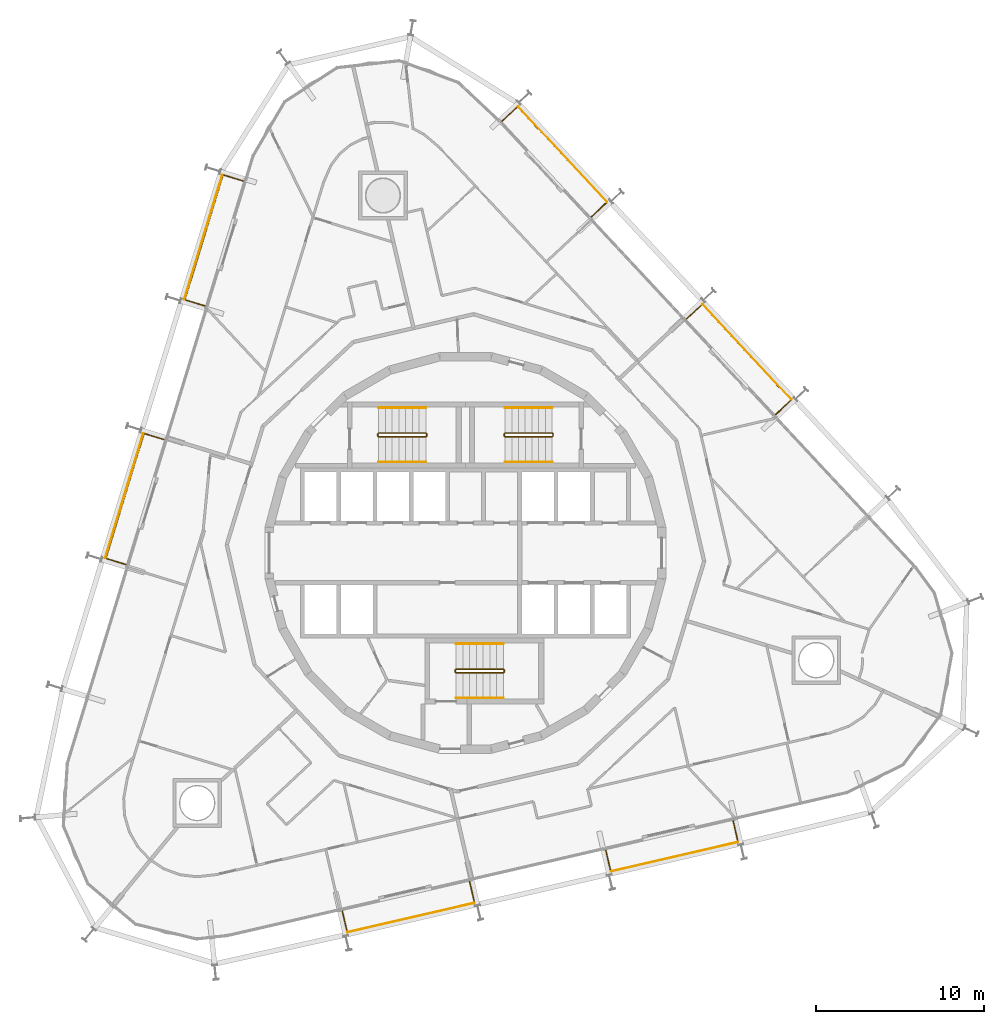
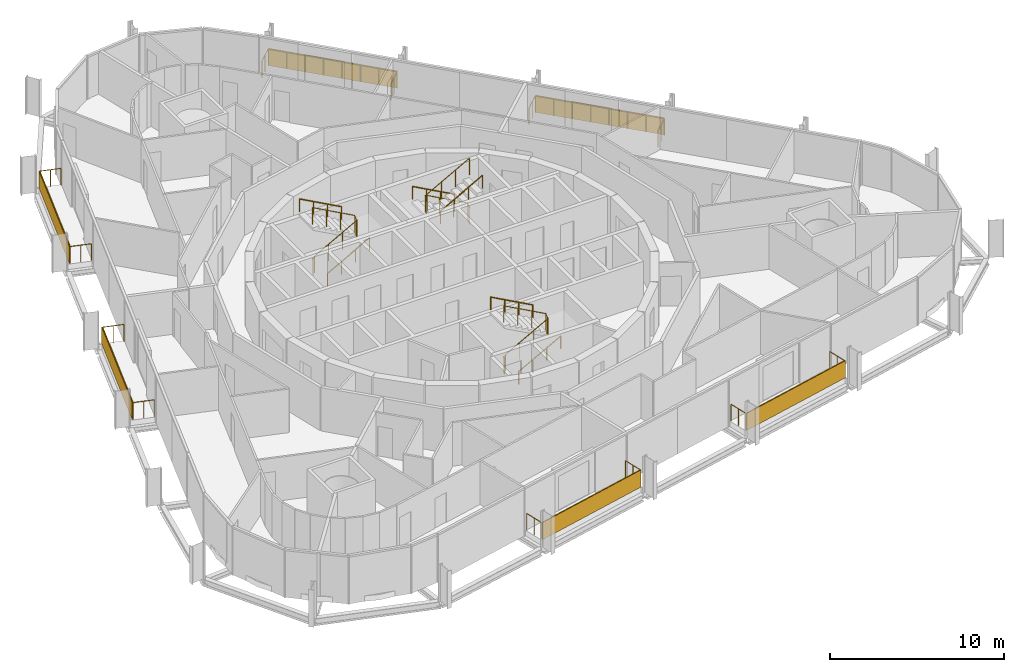
# One storey, part 18 of 18: 15 railings, 6 shading devices.
"""IFC4 building model written with IfcOpenShell, lengths in metres."""

import ifcopenshell
import ifcopenshell.guid

model = None  # the IFC model being written
_history = None  # IfcOwnerHistory: only IFC2X3 demands one
_inside = {}  # id of a spatial element -> (the spatial element, [elements in it])
_under = {}  # id of a project, library or spatial element -> (it, [spatial elements below it])
_declared = {}  # id of a project -> (the project, [libraries it declares])
_typed = {}  # id of a type object -> (the type object, [elements of that type])
_made_of = {}  # id of a material, layer set ... -> (it, [elements and type objects made of it])


def new_model(schema):
    """Start an empty IFC model of exactly this schema.

    Asked for "IFC4X3", IfcOpenShell would pick the latest addendum, in which some entities
    have other attributes; the version numbers below select the first issue.
    IFC2X3 requires an IfcOwnerHistory on every rooted entity: one is made here for all.
    """
    global model, _history
    if schema == "IFC4X3":
        model = ifcopenshell.file(schema_version=(4, 3, 0, 0))
    else:
        model = ifcopenshell.file(schema=schema)
    _inside.clear()
    _under.clear()
    _declared.clear()
    _typed.clear()
    _made_of.clear()
    _history = None
    if model.schema == "IFC2X3":
        org = make("IfcOrganization", Name="unknown")
        user = make(
            "IfcPersonAndOrganization",
            ThePerson=make("IfcPerson", FamilyName="unknown"),
            TheOrganization=org,
        )
        app = make(
            "IfcApplication",
            ApplicationDeveloper=org,
            Version="unknown",
            ApplicationFullName="unknown",
            ApplicationIdentifier="unknown",
        )
        _history = make(
            "IfcOwnerHistory",
            OwningUser=user,
            OwningApplication=app,
            ChangeAction="ADDED",
            CreationDate=0,
        )
    return model


def make(cls, **values):
    """One entity of the class cls with the attributes given. An attribute that is None is left unset."""
    return model.create_entity(
        cls, **{name: value for name, value in values.items() if value is not None}
    )


def rooted(cls, **values):
    """An entity with a GlobalId (a new one), such as an element, a storey or a relation."""
    return make(cls, GlobalId=ifcopenshell.guid.new(), OwnerHistory=_history, **values)


def si_unit(unit_type, name, prefix=None):
    """IfcSIUnit, for example si_unit("LENGTHUNIT", "METRE", prefix="MILLI")."""
    return make("IfcSIUnit", UnitType=unit_type, Prefix=prefix, Name=name)


def assignment(units):
    """IfcUnitAssignment: the units of a project."""
    return None if units is None else make("IfcUnitAssignment", Units=units)


def point(xyz):
    """IfcCartesianPoint."""
    return None if xyz is None else make("IfcCartesianPoint", Coordinates=xyz)


def direction(xyz):
    """IfcDirection."""
    return None if xyz is None else make("IfcDirection", DirectionRatios=xyz)


def frame(location, z_axis=None, x_axis=None):
    """IfcAxis2Placement3D, a coordinate frame: its origin and axes. An axis left out is left unset."""
    return make(
        "IfcAxis2Placement3D",
        Location=point(location),
        Axis=direction(z_axis),
        RefDirection=direction(x_axis),
    )


def frame_2d(location, x_axis=None):
    """IfcAxis2Placement2D, a coordinate frame in the plane: its origin and x axis."""
    return make(
        "IfcAxis2Placement2D", Location=point(location), RefDirection=direction(x_axis)
    )


def origin():
    """The frame at (0, 0, 0) with its axes left unset."""
    return frame((0.0, 0.0, 0.0))


def origin_2d():
    """The frame at (0, 0) in the plane with its x axis left unset."""
    return frame_2d((0.0, 0.0))


def place(relative_to, where):
    """IfcLocalPlacement: puts the frame where relative to a parent placement (None: the world)."""
    return make(
        "IfcLocalPlacement", PlacementRelTo=relative_to, RelativePlacement=where
    )


def context(
    kind, dimensions, precision=None, world=None, true_north=None, identifier=None
):
    """IfcGeometricRepresentationContext, for example the 3D "Model" context."""
    return make(
        "IfcGeometricRepresentationContext",
        ContextIdentifier=identifier,
        ContextType=kind,
        CoordinateSpaceDimension=dimensions,
        Precision=precision,
        WorldCoordinateSystem=world,
        TrueNorth=true_north,
    )


def subcontext(parent, identifier, kind, view, scale=None):
    """IfcGeometricRepresentationSubContext, for example "Body" below "Model"."""
    return make(
        "IfcGeometricRepresentationSubContext",
        ContextIdentifier=identifier,
        ContextType=kind,
        ParentContext=parent,
        TargetScale=scale,
        TargetView=view,
    )


def project(units=None, contexts=None):
    """IfcProject with its units and contexts."""
    return rooted(
        "IfcProject",
        Name="project",
        RepresentationContexts=contexts,
        UnitsInContext=assignment(units),
    )


def spatial(cls, under=None, at=None, **own):
    """A site, building, storey or space (cls), placed at a placement, below another one or the project."""
    s = rooted(cls, ObjectPlacement=at, **own)
    if under is not None:
        _under.setdefault(under.id(), (under, []))[1].append(s)
    return s


def profile(cls, at=None, kind="AREA", **sizes):
    """A parametric profile (cls). Its sizes go by their IFC names, for example OverallWidth=200.0."""
    return make(cls, ProfileType=kind, Position=at, **sizes)


def rectangle(**sizes):
    """IfcRectangleProfileDef."""
    return profile("IfcRectangleProfileDef", **sizes)


def circle(**sizes):
    """IfcCircleProfileDef."""
    return profile("IfcCircleProfileDef", **sizes)


def extrude(swept, where, along, depth):
    """IfcExtrudedAreaSolid: the profile swept, set in the frame where, extruded along a direction by depth."""
    return make(
        "IfcExtrudedAreaSolid",
        SweptArea=swept,
        Position=where,
        ExtrudedDirection=direction(along),
        Depth=depth,
    )


def shape(context_of_items, identifier, shape_type, items):
    """IfcShapeRepresentation: the items that make up one representation, for example the "Body"."""
    return make(
        "IfcShapeRepresentation",
        ContextOfItems=context_of_items,
        RepresentationIdentifier=identifier,
        RepresentationType=shape_type,
        Items=items,
    )


def material(Name=None, Category=None):
    """IfcMaterial."""
    return make("IfcMaterial", Name=Name, Category=Category)


def layer(
    of_material, thickness, ventilated=None, Name=None, Category=None, Priority=None
):
    """IfcMaterialLayer: one layer of a wall or slab, of a material (None: an air gap)."""
    return make(
        "IfcMaterialLayer",
        Material=of_material,
        LayerThickness=thickness,
        IsVentilated=ventilated,
        Name=Name,
        Category=Category,
        Priority=Priority,
    )


def layer_set(layers, Name=None):
    """IfcMaterialLayerSet."""
    return make("IfcMaterialLayerSet", MaterialLayers=layers, LayerSetName=Name)


def made_of(thing, what):
    """Note that an element or type object is made of a material, layer set ...; save() writes the relation."""
    if what is not None:
        _made_of.setdefault(what.id(), (what, []))[1].append(thing)
    return thing


def type_object(cls, material=None, **own):
    """A type object (cls), such as IfcWallType, which elements share."""
    return made_of(rooted(cls, **own), material)


def element(
    cls,
    number,
    at=None,
    inside=None,
    cuts=None,
    type_object=None,
    material=None,
    context=None,
    identifier="Body",
    shape_type=None,
    held_by="IfcProductDefinitionShape",
    body=None,
    shapes=None,
    **own,
):
    """One element of the class cls, such as IfcWall. Its Tag is "e" and its number.

    at: its placement. inside: the storey or other place that contains it. cuts: it is an
    opening in that element (IfcRelVoidsElement). A single representation is given by context,
    identifier, shape_type and body (its items); several are given by shapes. held_by: the class
    of the entity that holds the representations. save() writes the other relations.
    """
    e = rooted(cls, Tag="e%d" % number, ObjectPlacement=at, **own)
    if body is not None:
        shapes = [shape(context, identifier, shape_type, body)]
    if shapes is not None:
        e.Representation = make(held_by, Representations=shapes)
    if inside is not None:
        _inside.setdefault(inside.id(), (inside, []))[1].append(e)
    if cuts is not None:
        rooted(
            "IfcRelVoidsElement", RelatingBuildingElement=cuts, RelatedOpeningElement=e
        )
    if type_object is not None:
        _typed.setdefault(type_object.id(), (type_object, []))[1].append(e)
    return made_of(e, material)


def aggregate(whole, parts):
    """IfcRelAggregates: a whole, such as a stair, and the parts it consists of."""
    return rooted("IfcRelAggregates", RelatingObject=whole, RelatedObjects=parts)


def save(model, path):
    """Write the relations noted so far, then the file.

    IfcRelAggregates (storeys below a building ...), IfcRelContainedInSpatialStructure (elements
    in a storey), IfcRelDefinesByType, IfcRelAssociatesMaterial and IfcRelDeclares: one each for
    every whole, place, type object, material and project.
    """
    for whole, parts in _under.values():
        aggregate(whole, parts)
    for where, things in _inside.values():
        rooted(
            "IfcRelContainedInSpatialStructure",
            RelatedElements=things,
            RelatingStructure=where,
        )
    for kind, things in _typed.values():
        rooted("IfcRelDefinesByType", RelatedObjects=things, RelatingType=kind)
    for what, things in _made_of.values():
        rooted("IfcRelAssociatesMaterial", RelatedObjects=things, RelatingMaterial=what)
    for by, libraries in _declared.values():
        rooted("IfcRelDeclares", RelatingContext=by, RelatedDefinitions=libraries)
    model.write(path)


model = new_model("IFC4")

# Units and contexts
model_context = context("Model", 3, precision=1e-05, world=origin(), true_north=direction((0.0, 1.0)))
body_context = subcontext(model_context, "Body", "Model", "MODEL_VIEW")
ifc_project = project(units=[si_unit("LENGTHUNIT", "METRE"), si_unit("AREAUNIT", "SQUARE_METRE"), si_unit("VOLUMEUNIT", "CUBIC_METRE"), si_unit("PLANEANGLEUNIT", "RADIAN"), si_unit("MASSUNIT", "GRAM", prefix="KILO")], contexts=[model_context])

# Site, building, storey
site_placement = place(None, origin())
site = spatial("IfcSite", under=ifc_project, at=site_placement, CompositionType="ELEMENT")
building_placement = place(site_placement, origin())
building = spatial("IfcBuilding", under=site, at=building_placement, Name="Spindle Arch Residences", CompositionType="ELEMENT")
storey_placement = place(building_placement, frame((0.0, 0.0, 141.39990234375)))
storey = spatial("IfcBuildingStorey", under=building, at=storey_placement, Name="L35", CompositionType="ELEMENT", Elevation=141.39990234375)

# Railings
ifc_material_1 = material(Name="Bronze anodised aluminium guard with glass infill", Category="aluminium")
railing_type_1 = type_object("IfcRailingType", Name="Balcony guard 1200", PredefinedType="GUARDRAIL", material=ifc_material_1)
railing_1_placement = place(storey_placement, frame((8.33544921875, -17.658447265625, 0.0)))
element("IfcRailing", 1, at=railing_1_placement, inside=storey, type_object=railing_type_1, Name="Guard L35 bay 1", PredefinedType="GUARDRAIL", context=body_context, shape_type="SweptSolid", body=[
    extrude(circle(Radius=0.02392578125, at=origin_2d()), frame((0.0, 0.0, 1.17578125), z_axis=(0.224987877395, -0.974361562781, 0.0), x_axis=(0.974361562781, 0.224987877395, 0.0)), (0.0, 0.0, 1.0), 1.25),
    extrude(circle(Radius=0.02392578125, at=origin_2d()), frame((0.28125, -1.218017578125, 1.17578125), z_axis=(0.974365204353, 0.224972106149, 0.0), x_axis=(-0.224972106149, 0.974365204353, 0.0)), (0.0, 0.0, 1.0), 7.75927734375),
    extrude(circle(Radius=0.02392578125, at=origin_2d()), frame((7.841552734375, 0.527587890625, 1.17578125), z_axis=(-0.225030699336, 0.974351673861, 0.0), x_axis=(-0.974351673861, -0.225030699336, 0.0)), (0.0, 0.0, 1.0), 1.249755859375),
    extrude(circle(Radius=0.02099609375, at=origin_2d()), origin(), (0.0, 0.0, 1.0), 1.15185546875),
    extrude(circle(Radius=0.02099609375, at=origin_2d()), frame((0.140625, -0.60888671875, 0.0)), (0.0, 0.0, 1.0), 1.15185546875),
    extrude(circle(Radius=0.02099609375, at=origin_2d()), frame((0.28125, -1.218017578125, 0.0)), (0.0, 0.0, 1.0), 1.15185546875),
    extrude(circle(Radius=0.02099609375, at=origin_2d()), frame((1.361328125, -0.96875, 0.0)), (0.0, 0.0, 1.0), 1.15185546875),
    extrude(circle(Radius=0.02099609375, at=origin_2d()), frame((2.44140625, -0.71923828125, 0.0)), (0.0, 0.0, 1.0), 1.15185546875),
    extrude(circle(Radius=0.02099609375, at=origin_2d()), frame((3.521484375, -0.469970703125, 0.0)), (0.0, 0.0, 1.0), 1.15185546875),
    extrude(circle(Radius=0.02099609375, at=origin_2d()), frame((4.601318359375, -0.220458984375, 0.0)), (0.0, 0.0, 1.0), 1.15185546875),
    extrude(circle(Radius=0.02099609375, at=origin_2d()), frame((5.681396484375, 0.02880859375, 0.0)), (0.0, 0.0, 1.0), 1.15185546875),
    extrude(circle(Radius=0.02099609375, at=origin_2d()), frame((6.761474609375, 0.2783203125, 0.0)), (0.0, 0.0, 1.0), 1.15185546875),
    extrude(circle(Radius=0.02099609375, at=origin_2d()), frame((7.841552734375, 0.527587890625, 0.0)), (0.0, 0.0, 1.0), 1.15185546875),
    extrude(circle(Radius=0.02099609375, at=origin_2d()), frame((7.700927734375, 1.136474609375, 0.0)), (0.0, 0.0, 1.0), 1.15185546875),
    extrude(circle(Radius=0.02099609375, at=origin_2d()), frame((7.560302734375, 1.745361328125, 0.0)), (0.0, 0.0, 1.0), 1.15185546875),
])
railing_2_placement = place(storey_placement, frame((18.426025390625, 8.218505859375, 0.0)))
element("IfcRailing", 2, at=railing_2_placement, inside=storey, type_object=railing_type_1, Name="Guard L35 bay 7", PredefinedType="GUARDRAIL", context=body_context, shape_type="SweptSolid", body=[
    extrude(circle(Radius=0.02392578125, at=origin_2d()), frame((0.0, 0.0, 1.17578125), z_axis=(0.731477318681, 0.681865772902, 0.0), x_axis=(-0.681865772902, 0.731477318681, 0.0)), (0.0, 0.0, 1.0), 1.25),
    extrude(circle(Radius=0.02392578125, at=origin_2d()), frame((0.914306640625, 0.852294921875, 1.17578125), z_axis=(-0.681991953625, 0.731359675666, 0.0), x_axis=(-0.731359675666, -0.681991953625, 0.0)), (0.0, 0.0, 1.0), 7.75927734375),
    extrude(circle(Radius=0.02392578125, at=origin_2d()), frame((-4.37744140625, 6.527099609375, 1.17578125), z_axis=(-0.731379904041, -0.681970260323, 0.0), x_axis=(0.681970260323, -0.731379904041, 0.0)), (0.0, 0.0, 1.0), 1.25),
    extrude(circle(Radius=0.02099609375, at=origin_2d()), origin(), (0.0, 0.0, 1.0), 1.15185546875),
    extrude(circle(Radius=0.02099609375, at=origin_2d()), frame((0.45703125, 0.42626953125, 0.0)), (0.0, 0.0, 1.0), 1.15185546875),
    extrude(circle(Radius=0.02099609375, at=origin_2d()), frame((0.914306640625, 0.852294921875, 0.0)), (0.0, 0.0, 1.0), 1.15185546875),
    extrude(circle(Radius=0.02099609375, at=origin_2d()), frame((0.158447265625, 1.6630859375, 0.0)), (0.0, 0.0, 1.0), 1.15185546875),
    extrude(circle(Radius=0.02099609375, at=origin_2d()), frame((-0.59765625, 2.4736328125, 0.0)), (0.0, 0.0, 1.0), 1.15185546875),
    extrude(circle(Radius=0.02099609375, at=origin_2d()), frame((-1.353515625, 3.284423828125, 0.0)), (0.0, 0.0, 1.0), 1.15185546875),
    extrude(circle(Radius=0.02099609375, at=origin_2d()), frame((-2.109619140625, 4.094970703125, 0.0)), (0.0, 0.0, 1.0), 1.15185546875),
    extrude(circle(Radius=0.02099609375, at=origin_2d()), frame((-2.865478515625, 4.90576171875, 0.0)), (0.0, 0.0, 1.0), 1.15185546875),
    extrude(circle(Radius=0.02099609375, at=origin_2d()), frame((-3.62158203125, 5.71630859375, 0.0)), (0.0, 0.0, 1.0), 1.15185546875),
    extrude(circle(Radius=0.02099609375, at=origin_2d()), frame((-4.37744140625, 6.527099609375, 0.0)), (0.0, 0.0, 1.0), 1.15185546875),
    extrude(circle(Radius=0.02099609375, at=origin_2d()), frame((-4.83447265625, 6.100830078125, 0.0)), (0.0, 0.0, 1.0), 1.15185546875),
    extrude(circle(Radius=0.02099609375, at=origin_2d()), frame((-5.291748046875, 5.674560546875, 0.0)), (0.0, 0.0, 1.0), 1.15185546875),
])
railing_3_placement = place(storey_placement, frame((7.474365234375, 19.962646484375, 0.0)))
element("IfcRailing", 3, at=railing_3_placement, inside=storey, type_object=railing_type_1, Name="Guard L35 bay 9", PredefinedType="GUARDRAIL", context=body_context, shape_type="SweptSolid", body=[
    extrude(circle(Radius=0.02392578125, at=origin_2d()), frame((0.0, 0.0, 1.17578125), z_axis=(0.731289056092, 0.682067677317, 0.0), x_axis=(-0.682067677317, 0.731289056092, 0.0)), (0.0, 0.0, 1.0), 1.25),
    extrude(circle(Radius=0.02392578125, at=origin_2d()), frame((0.9140625, 0.8525390625, 1.17578125), z_axis=(-0.681991953625, 0.731359675666, 0.0), x_axis=(-0.731359675666, -0.681991953625, 0.0)), (0.0, 0.0, 1.0), 7.75927734375),
    extrude(circle(Radius=0.02392578125, at=origin_2d()), frame((-4.377685546875, 6.52734375, 1.17578125), z_axis=(-0.731289056092, -0.682067677317, 0.0), x_axis=(0.682067677317, -0.731289056092, 0.0)), (0.0, 0.0, 1.0), 1.25),
    extrude(circle(Radius=0.02099609375, at=origin_2d()), origin(), (0.0, 0.0, 1.0), 1.15185546875),
    extrude(circle(Radius=0.02099609375, at=origin_2d()), frame((0.45703125, 0.42626953125, 0.0)), (0.0, 0.0, 1.0), 1.15185546875),
    extrude(circle(Radius=0.02099609375, at=origin_2d()), frame((0.9140625, 0.8525390625, 0.0)), (0.0, 0.0, 1.0), 1.15185546875),
    extrude(circle(Radius=0.02099609375, at=origin_2d()), frame((0.158203125, 1.663330078125, 0.0)), (0.0, 0.0, 1.0), 1.15185546875),
    extrude(circle(Radius=0.02099609375, at=origin_2d()), frame((-0.597900390625, 2.473876953125, 0.0)), (0.0, 0.0, 1.0), 1.15185546875),
    extrude(circle(Radius=0.02099609375, at=origin_2d()), frame((-1.353759765625, 3.28466796875, 0.0)), (0.0, 0.0, 1.0), 1.15185546875),
    extrude(circle(Radius=0.02099609375, at=origin_2d()), frame((-2.10986328125, 4.09521484375, 0.0)), (0.0, 0.0, 1.0), 1.15185546875),
    extrude(circle(Radius=0.02099609375, at=origin_2d()), frame((-2.86572265625, 4.906005859375, 0.0)), (0.0, 0.0, 1.0), 1.15185546875),
    extrude(circle(Radius=0.02099609375, at=origin_2d()), frame((-3.621826171875, 5.716552734375, 0.0)), (0.0, 0.0, 1.0), 1.15185546875),
    extrude(circle(Radius=0.02099609375, at=origin_2d()), frame((-4.377685546875, 6.52734375, 0.0)), (0.0, 0.0, 1.0), 1.15185546875),
    extrude(circle(Radius=0.02099609375, at=origin_2d()), frame((-4.834716796875, 6.10107421875, 0.0)), (0.0, 0.0, 1.0), 1.15185546875),
    extrude(circle(Radius=0.02099609375, at=origin_2d()), frame((-5.291748046875, 5.6748046875, 0.0)), (0.0, 0.0, 1.0), 1.15185546875),
])
railing_4_placement = place(storey_placement, frame((-13.200439453125, 22.0859375, 0.0)))
element("IfcRailing", 4, at=railing_4_placement, inside=storey, type_object=railing_type_1, Name="Guard L35 bay 13", PredefinedType="GUARDRAIL", context=body_context, shape_type="SweptSolid", body=[
    extrude(circle(Radius=0.02392578125, at=origin_2d()), frame((0.0, 0.0, 1.17578125), z_axis=(-0.95629696894, 0.292397173714, 0.0), x_axis=(-0.292397173714, -0.95629696894, 0.0)), (0.0, 0.0, 1.0), 1.25),
    extrude(circle(Radius=0.02392578125, at=origin_2d()), frame((-1.1953125, 0.365478515625, 1.17578125), z_axis=(-0.29236961561, -0.956305394666, 0.0), x_axis=(0.956305394666, -0.29236961561, 0.0)), (0.0, 0.0, 1.0), 7.75927734375),
    extrude(circle(Radius=0.02392578125, at=origin_2d()), frame((-3.4638671875, -7.0546875, 1.17578125), z_axis=(0.95629696894, -0.292397173714, 0.0), x_axis=(0.292397173714, 0.95629696894, 0.0)), (0.0, 0.0, 1.0), 1.25),
    extrude(circle(Radius=0.02099609375, at=origin_2d()), origin(), (0.0, 0.0, 1.0), 1.15185546875),
    extrude(circle(Radius=0.02099609375, at=origin_2d()), frame((-0.59765625, 0.1826171875, 0.0)), (0.0, 0.0, 1.0), 1.15185546875),
    extrude(circle(Radius=0.02099609375, at=origin_2d()), frame((-1.1953125, 0.365478515625, 0.0)), (0.0, 0.0, 1.0), 1.15185546875),
    extrude(circle(Radius=0.02099609375, at=origin_2d()), frame((-1.519287109375, -0.694580078125, 0.0)), (0.0, 0.0, 1.0), 1.15185546875),
    extrude(circle(Radius=0.02099609375, at=origin_2d()), frame((-1.843505859375, -1.754638671875, 0.0)), (0.0, 0.0, 1.0), 1.15185546875),
    extrude(circle(Radius=0.02099609375, at=origin_2d()), frame((-2.16748046875, -2.814697265625, 0.0)), (0.0, 0.0, 1.0), 1.15185546875),
    extrude(circle(Radius=0.02099609375, at=origin_2d()), frame((-2.49169921875, -3.87451171875, 0.0)), (0.0, 0.0, 1.0), 1.15185546875),
    extrude(circle(Radius=0.02099609375, at=origin_2d()), frame((-2.815673828125, -4.9345703125, 0.0)), (0.0, 0.0, 1.0), 1.15185546875),
    extrude(circle(Radius=0.02099609375, at=origin_2d()), frame((-3.139892578125, -5.99462890625, 0.0)), (0.0, 0.0, 1.0), 1.15185546875),
    extrude(circle(Radius=0.02099609375, at=origin_2d()), frame((-3.4638671875, -7.0546875, 0.0)), (0.0, 0.0, 1.0), 1.15185546875),
    extrude(circle(Radius=0.02099609375, at=origin_2d()), frame((-2.8662109375, -7.2373046875, 0.0)), (0.0, 0.0, 1.0), 1.15185546875),
    extrude(circle(Radius=0.02099609375, at=origin_2d()), frame((-2.2685546875, -7.420166015625, 0.0)), (0.0, 0.0, 1.0), 1.15185546875),
])
railing_5_placement = place(storey_placement, frame((-17.895263671875, 6.729248046875, 0.0)))
element("IfcRailing", 5, at=railing_5_placement, inside=storey, type_object=railing_type_1, Name="Guard L35 bay 15", PredefinedType="GUARDRAIL", context=body_context, shape_type="SweptSolid", body=[
    extrude(circle(Radius=0.02392578125, at=origin_2d()), frame((0.0, 0.0, 1.17578125), z_axis=(-0.956313663541, 0.29234256776, 0.0), x_axis=(-0.29234256776, -0.956313663541, 0.0)), (0.0, 0.0, 1.0), 1.250244140625),
    extrude(circle(Radius=0.02392578125, at=origin_2d()), frame((-1.195556640625, 0.365478515625, 1.17578125), z_axis=(-0.29236961561, -0.956305394666, 0.0), x_axis=(0.956305394666, -0.29236961561, 0.0)), (0.0, 0.0, 1.0), 7.75927734375),
    extrude(circle(Radius=0.02392578125, at=origin_2d()), frame((-3.464111328125, -7.0546875, 1.17578125), z_axis=(0.956368246211, -0.292163956776, 0.0), x_axis=(0.292163956776, 0.956368246211, 0.0)), (0.0, 0.0, 1.0), 1.25),
    extrude(circle(Radius=0.02099609375, at=origin_2d()), origin(), (0.0, 0.0, 1.0), 1.15185546875),
    extrude(circle(Radius=0.02099609375, at=origin_2d()), frame((-0.59765625, 0.1826171875, 0.0)), (0.0, 0.0, 1.0), 1.15185546875),
    extrude(circle(Radius=0.02099609375, at=origin_2d()), frame((-1.195556640625, 0.365478515625, 0.0)), (0.0, 0.0, 1.0), 1.15185546875),
    extrude(circle(Radius=0.02099609375, at=origin_2d()), frame((-1.51953125, -0.694580078125, 0.0)), (0.0, 0.0, 1.0), 1.15185546875),
    extrude(circle(Radius=0.02099609375, at=origin_2d()), frame((-1.84375, -1.754638671875, 0.0)), (0.0, 0.0, 1.0), 1.15185546875),
    extrude(circle(Radius=0.02099609375, at=origin_2d()), frame((-2.167724609375, -2.814697265625, 0.0)), (0.0, 0.0, 1.0), 1.15185546875),
    extrude(circle(Radius=0.02099609375, at=origin_2d()), frame((-2.491943359375, -3.87451171875, 0.0)), (0.0, 0.0, 1.0), 1.15185546875),
    extrude(circle(Radius=0.02099609375, at=origin_2d()), frame((-2.81591796875, -4.9345703125, 0.0)), (0.0, 0.0, 1.0), 1.15185546875),
    extrude(circle(Radius=0.02099609375, at=origin_2d()), frame((-3.14013671875, -5.99462890625, 0.0)), (0.0, 0.0, 1.0), 1.15185546875),
    extrude(circle(Radius=0.02099609375, at=origin_2d()), frame((-3.464111328125, -7.0546875, 0.0)), (0.0, 0.0, 1.0), 1.15185546875),
    extrude(circle(Radius=0.02099609375, at=origin_2d()), frame((-2.8662109375, -7.2373046875, 0.0)), (0.0, 0.0, 1.0), 1.15185546875),
    extrude(circle(Radius=0.02099609375, at=origin_2d()), frame((-2.2685546875, -7.419921875, 0.0)), (0.0, 0.0, 1.0), 1.15185546875),
])
railing_6_placement = place(storey_placement, frame((-7.311279296875, -21.270751953125, 0.0)))
element("IfcRailing", 6, at=railing_6_placement, inside=storey, type_object=railing_type_1, Name="Guard L35 bay 21", PredefinedType="GUARDRAIL", context=body_context, shape_type="SweptSolid", body=[
    extrude(circle(Radius=0.02392578125, at=origin_2d()), frame((0.0, 0.0, 1.17578125), z_axis=(0.224987877395, -0.974361562781, 0.0), x_axis=(0.974361562781, 0.224987877395, 0.0)), (0.0, 0.0, 1.0), 1.25),
    extrude(circle(Radius=0.02392578125, at=origin_2d()), frame((0.28125, -1.218017578125, 1.17578125), z_axis=(0.974365204353, 0.224972106149, 0.0), x_axis=(-0.224972106149, 0.974365204353, 0.0)), (0.0, 0.0, 1.0), 7.75927734375),
    extrude(circle(Radius=0.02392578125, at=origin_2d()), frame((7.841552734375, 0.527587890625, 1.17578125), z_axis=(-0.225030699336, 0.974351673861, 0.0), x_axis=(-0.974351673861, -0.225030699336, 0.0)), (0.0, 0.0, 1.0), 1.249755859375),
    extrude(circle(Radius=0.02099609375, at=origin_2d()), origin(), (0.0, 0.0, 1.0), 1.15185546875),
    extrude(circle(Radius=0.02099609375, at=origin_2d()), frame((0.140625, -0.60888671875, 0.0)), (0.0, 0.0, 1.0), 1.15185546875),
    extrude(circle(Radius=0.02099609375, at=origin_2d()), frame((0.28125, -1.218017578125, 0.0)), (0.0, 0.0, 1.0), 1.15185546875),
    extrude(circle(Radius=0.02099609375, at=origin_2d()), frame((1.361328125, -0.96875, 0.0)), (0.0, 0.0, 1.0), 1.15185546875),
    extrude(circle(Radius=0.02099609375, at=origin_2d()), frame((2.44140625, -0.71923828125, 0.0)), (0.0, 0.0, 1.0), 1.15185546875),
    extrude(circle(Radius=0.02099609375, at=origin_2d()), frame((3.521484375, -0.469970703125, 0.0)), (0.0, 0.0, 1.0), 1.15185546875),
    extrude(circle(Radius=0.02099609375, at=origin_2d()), frame((4.601318359375, -0.220458984375, 0.0)), (0.0, 0.0, 1.0), 1.15185546875),
    extrude(circle(Radius=0.02099609375, at=origin_2d()), frame((5.681396484375, 0.02880859375, 0.0)), (0.0, 0.0, 1.0), 1.15185546875),
    extrude(circle(Radius=0.02099609375, at=origin_2d()), frame((6.761474609375, 0.2783203125, 0.0)), (0.0, 0.0, 1.0), 1.15185546875),
    extrude(circle(Radius=0.02099609375, at=origin_2d()), frame((7.841552734375, 0.527587890625, 0.0)), (0.0, 0.0, 1.0), 1.15185546875),
    extrude(circle(Radius=0.02099609375, at=origin_2d()), frame((7.700927734375, 1.136474609375, 0.0)), (0.0, 0.0, 1.0), 1.15185546875),
    extrude(circle(Radius=0.02099609375, at=origin_2d()), frame((7.560302734375, 1.745361328125, 0.0)), (0.0, 0.0, 1.0), 1.15185546875),
])

# Shading devices
ifc_material_2 = material(Name="Bronze perforated cobogo screen")
ifc_layer = layer(ifc_material_2, 0.0390625)
ifc_layer_set = layer_set([ifc_layer], Name="Cobogo screen 1200")
shading_device_type = type_object("IfcShadingDeviceType", Name="Cobogo screen 1200", PredefinedType="USERDEFINED", material=ifc_layer_set)
for number, where, z_axis, x_axis, name in (
    (7, (12.406005859375, -18.043212890625, 0.0), (0.0, 0.0, 1.0), (0.974370064785, 0.224951054344, 0.0), "Cobogo screen L35 bay 1"),
    (8, (16.723876953125, 11.935791015625, 0.0), (0.0, 0.0, 1.0), (-0.681998360062, 0.731353701619, 0.0), "Cobogo screen L35 bay 7"),
    (9, (5.772216796875, 23.68017578125, 0.0), (0.0, 0.0, 1.0), (-0.681998360062, 0.731353701619, 0.0), "Cobogo screen L35 bay 9"),
    (10, (-15.56884765625, 18.753173828125, 0.0), (0.0, 0.0, 1.0), (-0.292371704723, -0.956304755963, 0.0), "Cobogo screen L35 bay 13"),
    (11, (-20.263671875, 3.396484375, 0.0), (0.0, 0.0, 1.0), (-0.292371704723, -0.956304755963, 0.0), "Cobogo screen L35 bay 15"),
    (12, (-3.24072265625, -21.655517578125, 0.0), (0.0, 0.0, 1.0), (0.974370064785, 0.224951054344, 0.0), "Cobogo screen L35 bay 21"),
):
    element("IfcShadingDevice", number, at=place(storey_placement, frame(where, z_axis=z_axis, x_axis=x_axis)), inside=storey, type_object=shading_device_type, Name=name, ObjectType="SCREEN", PredefinedType="USERDEFINED", context=body_context, shape_type="SweptSolid", body=[
        extrude(rectangle(XDim=7.75927734375, YDim=0.0390625, at=origin_2d()), origin(), (0.0, 0.0, 1.0), 1.199951171875),
    ])

# Railings
ifc_material_3 = material(Name="Steel, painted", Category="steel")
railing_type_2 = type_object("IfcRailingType", Name="Stair guard 1100", PredefinedType="GUARDRAIL", material=ifc_material_3)
railing_7_placement = place(storey_placement, frame((5.14990234375, 6.89990234375, 3.5)))
element("IfcRailing", 13, at=railing_7_placement, inside=storey, type_object=railing_type_2, Name="L35 ST1 stair guard 1", PredefinedType="GUARDRAIL", context=body_context, shape_type="SweptSolid", body=[
    extrude(circle(Radius=0.02392578125, at=origin_2d()), frame((0.0, 0.0, 1.17578125), z_axis=(-0.877357048833, 0.0, -0.479838106931), x_axis=(0.0, -1.0, 0.0)), (0.0, 0.0, 1.0), 3.191162109375),
    extrude(circle(Radius=0.02392578125, at=origin_2d()), frame((-2.7998046875, 0.0, -0.35546875), z_axis=(-0.217683172539, 0.217683172539, -0.951434744366), x_axis=(-0.707106781187, -0.707106781187, 0.0)), (0.0, 0.0, 1.0), 0.22998046875),
    extrude(circle(Radius=0.02392578125, at=origin_2d()), frame((-2.849853515625, 0.050048828125, -0.57421875), z_axis=(0.0, 1.0, 0.0), x_axis=(-1.0, 0.0, 0.0)), (0.0, 0.0, 1.0), 0.1201171875),
    extrude(circle(Radius=0.02392578125, at=origin_2d()), frame((-2.849853515625, 0.170166015625, -0.57421875), z_axis=(0.707106781187, 0.707106781187, 0.0), x_axis=(-0.707106781187, 0.707106781187, 0.0)), (0.0, 0.0, 1.0), 0.07080078125),
    extrude(circle(Radius=0.02392578125, at=origin_2d()), frame((-2.7998046875, 0.22021484375, -0.57421875), z_axis=(0.877357048833, 0.0, -0.479838106931), x_axis=(0.0, 1.0, 0.0)), (0.0, 0.0, 1.0), 3.191162109375),
    extrude(circle(Radius=0.02392578125, at=origin_2d()), frame((0.0, 0.22021484375, -2.10546875), z_axis=(0.217683172539, -0.217683172539, -0.951434744366), x_axis=(0.707106781187, 0.707106781187, 0.0)), (0.0, 0.0, 1.0), 0.22998046875),
    extrude(circle(Radius=0.02392578125, at=origin_2d()), frame((0.050048828125, 0.170166015625, -2.32421875), z_axis=(0.0, -1.0, 0.0), x_axis=(1.0, 0.0, 0.0)), (0.0, 0.0, 1.0), 0.1201171875),
    extrude(circle(Radius=0.02099609375, at=origin_2d()), origin(), (0.0, 0.0, 1.0), 1.15185546875),
    extrude(circle(Radius=0.02099609375, at=origin_2d()), frame((-0.933349609375, 0.0, -0.510498046875)), (0.0, 0.0, 1.0), 1.15185546875),
    extrude(circle(Radius=0.02099609375, at=origin_2d()), frame((-1.866455078125, 0.0, -1.020751953125)), (0.0, 0.0, 1.0), 1.15185546875),
    extrude(circle(Radius=0.02099609375, at=origin_2d()), frame((-2.7998046875, 0.0, -1.53125)), (0.0, 0.0, 1.0), 1.15185546875),
    extrude(circle(Radius=0.02099609375, at=origin_2d()), frame((-2.849853515625, 0.050048828125, -1.75)), (0.0, 0.0, 1.0), 1.15185546875),
    extrude(circle(Radius=0.02099609375, at=origin_2d()), frame((-2.849853515625, 0.170166015625, -1.75)), (0.0, 0.0, 1.0), 1.15185546875),
    extrude(circle(Radius=0.02099609375, at=origin_2d()), frame((-2.7998046875, 0.22021484375, -1.75)), (0.0, 0.0, 1.0), 1.15185546875),
    extrude(circle(Radius=0.02099609375, at=origin_2d()), frame((-1.866455078125, 0.22021484375, -2.260498046875)), (0.0, 0.0, 1.0), 1.15185546875),
    extrude(circle(Radius=0.02099609375, at=origin_2d()), frame((-0.933349609375, 0.22021484375, -2.770751953125)), (0.0, 0.0, 1.0), 1.15185546875),
    extrude(circle(Radius=0.02099609375, at=origin_2d()), frame((0.0, 0.22021484375, -3.28125)), (0.0, 0.0, 1.0), 1.15185546875),
    extrude(circle(Radius=0.02099609375, at=origin_2d()), frame((0.050048828125, 0.170166015625, -3.5)), (0.0, 0.0, 1.0), 1.15185546875),
    extrude(circle(Radius=0.02099609375, at=origin_2d()), frame((0.050048828125, 0.050048828125, -3.5)), (0.0, 0.0, 1.0), 1.15185546875),
])
railing_8_placement = place(storey_placement, frame((-5.14990234375, 7.1201171875, 3.5)))
element("IfcRailing", 14, at=railing_8_placement, inside=storey, type_object=railing_type_2, Name="L35 ST2 stair guard 1", PredefinedType="GUARDRAIL", context=body_context, shape_type="SweptSolid", body=[
    extrude(circle(Radius=0.02392578125, at=origin_2d()), frame((0.0, 0.0, 1.17578125), z_axis=(0.877357048833, 0.0, -0.479838106931), x_axis=(0.0, 1.0, 0.0)), (0.0, 0.0, 1.0), 3.191162109375),
    extrude(circle(Radius=0.02392578125, at=origin_2d()), frame((2.7998046875, 0.0, -0.35546875), z_axis=(0.217683172539, -0.217683172539, -0.951434744366), x_axis=(0.707106781187, 0.707106781187, 0.0)), (0.0, 0.0, 1.0), 0.22998046875),
    extrude(circle(Radius=0.02392578125, at=origin_2d()), frame((2.849853515625, -0.050048828125, -0.57421875), z_axis=(0.0, -1.0, 0.0), x_axis=(1.0, 0.0, 0.0)), (0.0, 0.0, 1.0), 0.1201171875),
    extrude(circle(Radius=0.02392578125, at=origin_2d()), frame((2.849853515625, -0.170166015625, -0.57421875), z_axis=(-0.707106781187, -0.707106781187, 0.0), x_axis=(0.707106781187, -0.707106781187, 0.0)), (0.0, 0.0, 1.0), 0.07080078125),
    extrude(circle(Radius=0.02392578125, at=origin_2d()), frame((2.7998046875, -0.22021484375, -0.57421875), z_axis=(-0.877357048833, 0.0, -0.479838106931), x_axis=(0.0, -1.0, 0.0)), (0.0, 0.0, 1.0), 3.191162109375),
    extrude(circle(Radius=0.02392578125, at=origin_2d()), frame((0.0, -0.22021484375, -2.10546875), z_axis=(-0.217683172539, 0.217683172539, -0.951434744366), x_axis=(-0.707106781187, -0.707106781187, 0.0)), (0.0, 0.0, 1.0), 0.22998046875),
    extrude(circle(Radius=0.02392578125, at=origin_2d()), frame((-0.050048828125, -0.170166015625, -2.32421875), z_axis=(0.0, 1.0, 0.0), x_axis=(-1.0, 0.0, 0.0)), (0.0, 0.0, 1.0), 0.1201171875),
    extrude(circle(Radius=0.02099609375, at=origin_2d()), origin(), (0.0, 0.0, 1.0), 1.15185546875),
    extrude(circle(Radius=0.02099609375, at=origin_2d()), frame((0.933349609375, 0.0, -0.510498046875)), (0.0, 0.0, 1.0), 1.15185546875),
    extrude(circle(Radius=0.02099609375, at=origin_2d()), frame((1.866455078125, 0.0, -1.020751953125)), (0.0, 0.0, 1.0), 1.15185546875),
    extrude(circle(Radius=0.02099609375, at=origin_2d()), frame((2.7998046875, 0.0, -1.53125)), (0.0, 0.0, 1.0), 1.15185546875),
    extrude(circle(Radius=0.02099609375, at=origin_2d()), frame((2.849853515625, -0.050048828125, -1.75)), (0.0, 0.0, 1.0), 1.15185546875),
    extrude(circle(Radius=0.02099609375, at=origin_2d()), frame((2.849853515625, -0.170166015625, -1.75)), (0.0, 0.0, 1.0), 1.15185546875),
    extrude(circle(Radius=0.02099609375, at=origin_2d()), frame((2.7998046875, -0.22021484375, -1.75)), (0.0, 0.0, 1.0), 1.15185546875),
    extrude(circle(Radius=0.02099609375, at=origin_2d()), frame((1.866455078125, -0.22021484375, -2.260498046875)), (0.0, 0.0, 1.0), 1.15185546875),
    extrude(circle(Radius=0.02099609375, at=origin_2d()), frame((0.933349609375, -0.22021484375, -2.770751953125)), (0.0, 0.0, 1.0), 1.15185546875),
    extrude(circle(Radius=0.02099609375, at=origin_2d()), frame((0.0, -0.22021484375, -3.28125)), (0.0, 0.0, 1.0), 1.15185546875),
    extrude(circle(Radius=0.02099609375, at=origin_2d()), frame((-0.050048828125, -0.170166015625, -3.5)), (0.0, 0.0, 1.0), 1.15185546875),
    extrude(circle(Radius=0.02099609375, at=origin_2d()), frame((-0.050048828125, -0.050048828125, -3.5)), (0.0, 0.0, 1.0), 1.15185546875),
])
railing_9_placement = place(storey_placement, frame((-0.550048828125, -6.89990234375, 3.5)))
element("IfcRailing", 15, at=railing_9_placement, inside=storey, type_object=railing_type_2, Name="L35 ST3 stair guard 1", PredefinedType="GUARDRAIL", context=body_context, shape_type="SweptSolid", body=[
    extrude(circle(Radius=0.02392578125, at=origin_2d()), frame((0.0, 0.0, 1.17578125), z_axis=(0.877374661878, 0.0, -0.479805901063), x_axis=(0.0, 1.0, 0.0)), (0.0, 0.0, 1.0), 3.19140625),
    extrude(circle(Radius=0.02392578125, at=origin_2d()), frame((2.800048828125, 0.0, -0.35546875), z_axis=(0.217683172539, -0.217683172539, -0.951434744366), x_axis=(0.707106781187, 0.707106781187, 0.0)), (0.0, 0.0, 1.0), 0.22998046875),
    extrude(circle(Radius=0.02392578125, at=origin_2d()), frame((2.85009765625, -0.050048828125, -0.57421875), z_axis=(0.0, -1.0, 0.0), x_axis=(1.0, 0.0, 0.0)), (0.0, 0.0, 1.0), 0.1201171875),
    extrude(circle(Radius=0.02392578125, at=origin_2d()), frame((2.85009765625, -0.170166015625, -0.57421875), z_axis=(-0.707106781187, -0.707106781187, 0.0), x_axis=(0.707106781187, -0.707106781187, 0.0)), (0.0, 0.0, 1.0), 0.07080078125),
    extrude(circle(Radius=0.02392578125, at=origin_2d()), frame((2.800048828125, -0.22021484375, -0.57421875), z_axis=(-0.877374661878, 0.0, -0.479805901063), x_axis=(0.0, -1.0, 0.0)), (0.0, 0.0, 1.0), 3.19140625),
    extrude(circle(Radius=0.02392578125, at=origin_2d()), frame((0.0, -0.22021484375, -2.10546875), z_axis=(-0.217683172539, 0.217683172539, -0.951434744366), x_axis=(-0.707106781187, -0.707106781187, 0.0)), (0.0, 0.0, 1.0), 0.22998046875),
    extrude(circle(Radius=0.02392578125, at=origin_2d()), frame((-0.050048828125, -0.170166015625, -2.32421875), z_axis=(0.0, 1.0, 0.0), x_axis=(-1.0, 0.0, 0.0)), (0.0, 0.0, 1.0), 0.1201171875),
    extrude(circle(Radius=0.02099609375, at=origin_2d()), origin(), (0.0, 0.0, 1.0), 1.15185546875),
    extrude(circle(Radius=0.02099609375, at=origin_2d()), frame((0.933349609375, 0.0, -0.510498046875)), (0.0, 0.0, 1.0), 1.15185546875),
    extrude(circle(Radius=0.02099609375, at=origin_2d()), frame((1.86669921875, 0.0, -1.020751953125)), (0.0, 0.0, 1.0), 1.15185546875),
    extrude(circle(Radius=0.02099609375, at=origin_2d()), frame((2.800048828125, 0.0, -1.53125)), (0.0, 0.0, 1.0), 1.15185546875),
    extrude(circle(Radius=0.02099609375, at=origin_2d()), frame((2.85009765625, -0.050048828125, -1.75)), (0.0, 0.0, 1.0), 1.15185546875),
    extrude(circle(Radius=0.02099609375, at=origin_2d()), frame((2.85009765625, -0.170166015625, -1.75)), (0.0, 0.0, 1.0), 1.15185546875),
    extrude(circle(Radius=0.02099609375, at=origin_2d()), frame((2.800048828125, -0.22021484375, -1.75)), (0.0, 0.0, 1.0), 1.15185546875),
    extrude(circle(Radius=0.02099609375, at=origin_2d()), frame((1.86669921875, -0.22021484375, -2.260498046875)), (0.0, 0.0, 1.0), 1.15185546875),
    extrude(circle(Radius=0.02099609375, at=origin_2d()), frame((0.933349609375, -0.22021484375, -2.770751953125)), (0.0, 0.0, 1.0), 1.15185546875),
    extrude(circle(Radius=0.02099609375, at=origin_2d()), frame((0.0, -0.22021484375, -3.28125)), (0.0, 0.0, 1.0), 1.15185546875),
    extrude(circle(Radius=0.02099609375, at=origin_2d()), frame((-0.050048828125, -0.170166015625, -3.5)), (0.0, 0.0, 1.0), 1.15185546875),
    extrude(circle(Radius=0.02099609375, at=origin_2d()), frame((-0.050048828125, -0.050048828125, -3.5)), (0.0, 0.0, 1.0), 1.15185546875),
])
ifc_material_4 = material(Name="Steel, painted", Category="steel")
railing_type_3 = type_object("IfcRailingType", Name="Stair handrail 900", PredefinedType="HANDRAIL", material=ifc_material_4)
railing_10_placement = place(storey_placement, frame((5.14990234375, 8.6201171875, 0.21875)))
element("IfcRailing", 16, at=railing_10_placement, inside=storey, type_object=railing_type_3, Name="L35 ST1 stair handrail 1", PredefinedType="HANDRAIL", context=body_context, shape_type="SweptSolid", body=[
    extrude(circle(Radius=0.02392578125, at=origin_2d()), frame((0.0, 0.0, 0.8759765625), z_axis=(-0.877357048833, 0.0, 0.479838106931), x_axis=(0.0, -1.0, 0.0)), (0.0, 0.0, 1.0), 3.191162109375),
    extrude(circle(Radius=0.02099609375, at=origin_2d()), origin(), (0.0, 0.0, 1.0), 0.851806640625),
    extrude(circle(Radius=0.02099609375, at=origin_2d()), frame((-0.933349609375, 0.0, 0.510498046875)), (0.0, 0.0, 1.0), 0.851806640625),
    extrude(circle(Radius=0.02099609375, at=origin_2d()), frame((-1.866455078125, 0.0, 1.020751953125)), (0.0, 0.0, 1.0), 0.851806640625),
    extrude(circle(Radius=0.02099609375, at=origin_2d()), frame((-2.7998046875, 0.0, 1.53125)), (0.0, 0.0, 1.0), 0.851806640625),
])
for number, where, name in (
    (17, (2.35009765625, 5.39990234375, 1.96875), "L35 ST1 stair handrail 2"),
    (18, (-5.14990234375, 5.39990234375, 0.21875), "L35 ST2 stair handrail 1"),
):
    element("IfcRailing", number, at=place(storey_placement, frame(where)), inside=storey, type_object=railing_type_3, Name=name, PredefinedType="HANDRAIL", context=body_context, shape_type="SweptSolid", body=[
        extrude(circle(Radius=0.02392578125, at=origin_2d()), frame((0.0, 0.0, 0.8759765625), z_axis=(0.877357048833, 0.0, 0.479838106931), x_axis=(0.0, 1.0, 0.0)), (0.0, 0.0, 1.0), 3.191162109375),
        extrude(circle(Radius=0.02099609375, at=origin_2d()), origin(), (0.0, 0.0, 1.0), 0.851806640625),
        extrude(circle(Radius=0.02099609375, at=origin_2d()), frame((0.933349609375, 0.0, 0.510498046875)), (0.0, 0.0, 1.0), 0.851806640625),
        extrude(circle(Radius=0.02099609375, at=origin_2d()), frame((1.866455078125, 0.0, 1.020751953125)), (0.0, 0.0, 1.0), 0.851806640625),
        extrude(circle(Radius=0.02099609375, at=origin_2d()), frame((2.7998046875, 0.0, 1.53125)), (0.0, 0.0, 1.0), 0.851806640625),
    ])
railing_11_placement = place(storey_placement, frame((-2.35009765625, 8.6201171875, 1.96875)))
element("IfcRailing", 19, at=railing_11_placement, inside=storey, type_object=railing_type_3, Name="L35 ST2 stair handrail 2", PredefinedType="HANDRAIL", context=body_context, shape_type="SweptSolid", body=[
    extrude(circle(Radius=0.02392578125, at=origin_2d()), frame((0.0, 0.0, 0.8759765625), z_axis=(-0.877357048833, 0.0, 0.479838106931), x_axis=(0.0, -1.0, 0.0)), (0.0, 0.0, 1.0), 3.191162109375),
    extrude(circle(Radius=0.02099609375, at=origin_2d()), origin(), (0.0, 0.0, 1.0), 0.851806640625),
    extrude(circle(Radius=0.02099609375, at=origin_2d()), frame((-0.933349609375, 0.0, 0.510498046875)), (0.0, 0.0, 1.0), 0.851806640625),
    extrude(circle(Radius=0.02099609375, at=origin_2d()), frame((-1.866455078125, 0.0, 1.020751953125)), (0.0, 0.0, 1.0), 0.851806640625),
    extrude(circle(Radius=0.02099609375, at=origin_2d()), frame((-2.7998046875, 0.0, 1.53125)), (0.0, 0.0, 1.0), 0.851806640625),
])
railing_12_placement = place(storey_placement, frame((-0.550048828125, -8.6201171875, 0.21875)))
element("IfcRailing", 20, at=railing_12_placement, inside=storey, type_object=railing_type_3, Name="L35 ST3 stair handrail 1", PredefinedType="HANDRAIL", context=body_context, shape_type="SweptSolid", body=[
    extrude(circle(Radius=0.02392578125, at=origin_2d()), frame((0.0, 0.0, 0.8759765625), z_axis=(0.877374661878, 0.0, 0.479805901063), x_axis=(0.0, 1.0, 0.0)), (0.0, 0.0, 1.0), 3.19140625),
    extrude(circle(Radius=0.02099609375, at=origin_2d()), origin(), (0.0, 0.0, 1.0), 0.851806640625),
    extrude(circle(Radius=0.02099609375, at=origin_2d()), frame((0.933349609375, 0.0, 0.510498046875)), (0.0, 0.0, 1.0), 0.851806640625),
    extrude(circle(Radius=0.02099609375, at=origin_2d()), frame((1.86669921875, 0.0, 1.020751953125)), (0.0, 0.0, 1.0), 0.851806640625),
    extrude(circle(Radius=0.02099609375, at=origin_2d()), frame((2.800048828125, 0.0, 1.53125)), (0.0, 0.0, 1.0), 0.851806640625),
])
railing_13_placement = place(storey_placement, frame((2.25, -5.39990234375, 1.96875)))
element("IfcRailing", 21, at=railing_13_placement, inside=storey, type_object=railing_type_3, Name="L35 ST3 stair handrail 2", PredefinedType="HANDRAIL", context=body_context, shape_type="SweptSolid", body=[
    extrude(circle(Radius=0.02392578125, at=origin_2d()), frame((0.0, 0.0, 0.8759765625), z_axis=(-0.877374661878, 0.0, 0.479805901063), x_axis=(0.0, -1.0, 0.0)), (0.0, 0.0, 1.0), 3.19140625),
    extrude(circle(Radius=0.02099609375, at=origin_2d()), origin(), (0.0, 0.0, 1.0), 0.851806640625),
    extrude(circle(Radius=0.02099609375, at=origin_2d()), frame((-0.933349609375, 0.0, 0.510498046875)), (0.0, 0.0, 1.0), 0.851806640625),
    extrude(circle(Radius=0.02099609375, at=origin_2d()), frame((-1.86669921875, 0.0, 1.020751953125)), (0.0, 0.0, 1.0), 0.851806640625),
    extrude(circle(Radius=0.02099609375, at=origin_2d()), frame((-2.800048828125, 0.0, 1.53125)), (0.0, 0.0, 1.0), 0.851806640625),
])

save(model, "model.ifc")
